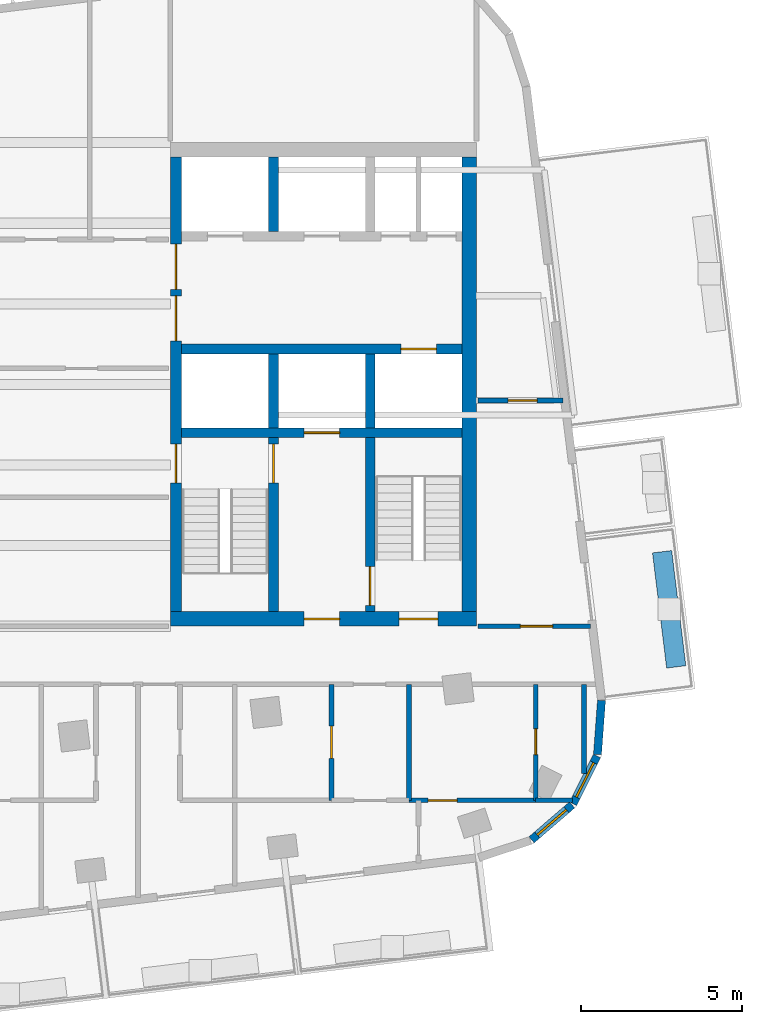
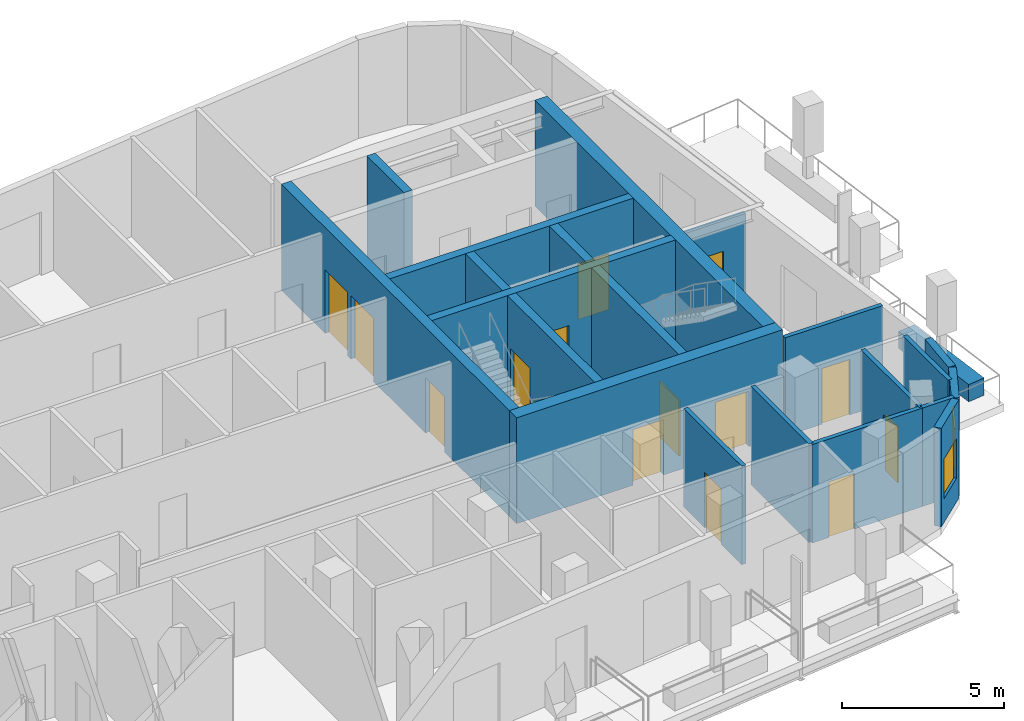
# One storey, part 6 of 11: 22 walls, 14 doors, 2 windows, 16 openings.
"""IFC4 building model written with IfcOpenShell, lengths in metres."""

from ifc_helpers import new_model, si_unit, direction, frame, frame_2d, origin, place, context, subcontext, project, spatial, rectangle, extrude, material, layer, layer_set, type_object, element, fill, save


model = new_model("IFC4")

# Units and contexts
model_context = context("Model", 3, precision=1e-05, world=origin(), true_north=direction((0.0, 1.0)))
body_context = subcontext(model_context, "Body", "Model", "MODEL_VIEW")
ifc_project = project(units=[si_unit("LENGTHUNIT", "METRE"), si_unit("AREAUNIT", "SQUARE_METRE"), si_unit("VOLUMEUNIT", "CUBIC_METRE"), si_unit("PLANEANGLEUNIT", "RADIAN"), si_unit("MASSUNIT", "GRAM", prefix="KILO")], contexts=[model_context])

# Site, building, storey
site_placement = place(None, origin())
site = spatial("IfcSite", under=ifc_project, at=site_placement, CompositionType="ELEMENT")
building_placement = place(site_placement, origin())
building = spatial("IfcBuilding", under=site, at=building_placement, Name="Torana Hotel and Residences", CompositionType="ELEMENT")
storey_placement = place(building_placement, frame((0.0, 0.0, 330.60009765625)))
storey = spatial("IfcBuildingStorey", under=building, at=storey_placement, Name="L87", CompositionType="ELEMENT", Elevation=330.60009765625)

# Wall, opening, door
ifc_material_1 = material(Name="Concrete C60/75", Category="concrete")
ifc_layer_1 = layer(ifc_material_1, 0.300048828125)
ifc_layer_set_1 = layer_set([ifc_layer_1], Name="CORE WALL 300 C60/75")
wall_type_1 = type_object("IfcWallType", Name="CORE WALL 300 C60/75", PredefinedType="SHEAR", material=ifc_layer_set_1)
wall_1_placement = place(storey_placement, frame((10.35009765625, -6.39990234375, 0.0), z_axis=(0.0, 0.0, 1.0), x_axis=(1.0, 0.0, 0.0)))
wall_1 = element("IfcWall", 1, at=wall_1_placement, inside=storey, type_object=wall_type_1, Name="Core wall E row-S", PredefinedType="SHEAR", context=body_context, shape_type="SweptSolid", body=[
    extrude(rectangle(XDim=8.699951171875, YDim=0.300048828125, at=frame_2d((4.35009765625, 0.0))), origin(), (0.0, 0.0, 1.0), 4.0),
])
opening_1_placement = place(wall_1_placement, frame((6.800048828125, 0.0, 0.0)))
opening_1 = element("IfcOpeningElement", 2, at=opening_1_placement, cuts=wall_1, Name="Opening LD", PredefinedType="OPENING", context=body_context, shape_type="SweptSolid", body=[
    extrude(rectangle(XDim=1.10009765625, YDim=2.10009765625, at=frame_2d((0.550048828125, 1.050048828125))), frame((0.0, 0.159912109375, 0.0), z_axis=(0.0, -1.0, 0.0), x_axis=(1.0, 0.0, 0.0)), (0.0, 0.0, 1.0), 0.320068359375),
])
ifc_material_2 = material(Name="Stainless steel 316", Category="steel")
door_type_1 = type_object("IfcDoorType", Name="LIFT LANDING DOOR LD 1100x2100", OperationType="DOUBLE_DOOR_SLIDING", PredefinedType="USERDEFINED", material=ifc_material_2)
door_1_placement = place(opening_1_placement, origin())
door_1 = element("IfcDoor", 3, at=door_1_placement, inside=storey, type_object=door_type_1, Name="Lift landing door SV2 L87", ObjectType="LIFT LANDING DOOR", OperationType="DOUBLE_DOOR_SLIDING", OverallHeight=2.10009765625, OverallWidth=1.10009765625, PredefinedType="USERDEFINED", context=body_context, shape_type="SweptSolid", body=[
    extrude(rectangle(XDim=1.10009765625, YDim=2.10009765625, at=frame_2d((0.550048828125, 1.050048828125))), frame((0.0, 0.02490234375, 0.0), z_axis=(0.0, -1.0, 0.0), x_axis=(1.0, 0.0, 0.0)), (0.0, 0.0, 1.0), 0.050048828125),
])
fill(opening_1, door_1)

wall_2_placement = place(storey_placement, frame((10.35009765625, -9.0, 0.0), z_axis=(0.0, 0.0, 1.0), x_axis=(1.0, 0.0, 0.0)))
wall_2 = element("IfcWall", 4, at=wall_2_placement, inside=storey, type_object=wall_type_1, Name="Core wall E band", PredefinedType="SHEAR", context=body_context, shape_type="SweptSolid", body=[
    extrude(rectangle(XDim=8.699951171875, YDim=0.300048828125, at=frame_2d((4.35009765625, 0.0))), origin(), (0.0, 0.0, 1.0), 4.0),
])
opening_2_placement = place(wall_2_placement, frame((3.800048828125, 0.0, 0.0)))
opening_2 = element("IfcOpeningElement", 5, at=opening_2_placement, cuts=wall_2, Name="Opening LD", PredefinedType="OPENING", context=body_context, shape_type="SweptSolid", body=[
    extrude(rectangle(XDim=1.10009765625, YDim=2.10009765625, at=frame_2d((0.550048828125, 1.050048828125))), frame((0.0, 0.159912109375, 0.0), z_axis=(0.0, -1.0, 0.0), x_axis=(1.0, 0.0, 0.0)), (0.0, 0.0, 1.0), 0.320068359375),
])
door_2_placement = place(opening_2_placement, origin())
door_2 = element("IfcDoor", 6, at=door_2_placement, inside=storey, type_object=door_type_1, Name="Lift landing door FF2 L87", ObjectType="LIFT LANDING DOOR", OperationType="DOUBLE_DOOR_SLIDING", OverallHeight=2.10009765625, OverallWidth=1.10009765625, PredefinedType="USERDEFINED", context=body_context, shape_type="SweptSolid", body=[
    extrude(rectangle(XDim=1.10009765625, YDim=2.10009765625, at=frame_2d((0.550048828125, 1.050048828125))), frame((0.0, 0.02490234375, 0.0), z_axis=(0.0, -1.0, 0.0), x_axis=(1.0, 0.0, 0.0)), (0.0, 0.0, 1.0), 0.050048828125),
])
fill(opening_2, door_2)

# Walls
for number, where, z_axis, x_axis, name in (
    (7, (13.199951171875, -2.75, 0.0), (0.0, 0.0, 1.0), (0.0, 1.0, 0.0), "Core wall E x3.05-N"),
    (8, (13.199951171875, -8.85009765625, 0.0), (0.0, 0.0, 1.0), (0.0, 1.0, 0.0), "Core wall E x3.05-S"),
):
    element("IfcWall", number, at=place(storey_placement, frame(where, z_axis=z_axis, x_axis=x_axis)), inside=storey, type_object=wall_type_1, Name=name, PredefinedType="SHEAR", context=body_context, shape_type="SweptSolid", body=[
        extrude(rectangle(XDim=2.300048828125, YDim=0.300048828125, at=frame_2d((1.14990234375, 0.0))), origin(), (0.0, 0.0, 1.0), 4.0),
    ])

# Wall, opening, door
wall_3_placement = place(storey_placement, frame((13.199951171875, -14.550048828125, 0.0), z_axis=(0.0, 0.0, 1.0), x_axis=(0.0, 1.0, 0.0)))
wall_3 = element("IfcWall", 9, at=wall_3_placement, inside=storey, type_object=wall_type_1, Name="Core wall E x3.05-band", PredefinedType="SHEAR", context=body_context, shape_type="SweptSolid", body=[
    extrude(rectangle(XDim=5.400146484375, YDim=0.300048828125, at=frame_2d((2.7001953125, 0.0))), origin(), (0.0, 0.0, 1.0), 4.0),
])
opening_3_placement = place(wall_3_placement, frame((4.0, 0.0, 0.0)))
opening_3 = element("IfcOpeningElement", 10, at=opening_3_placement, cuts=wall_3, Name="Opening L87-17", PredefinedType="OPENING", context=body_context, shape_type="SweptSolid", body=[
    extrude(rectangle(XDim=1.199951171875, YDim=2.10009765625, at=frame_2d((0.60009765625, 1.050048828125))), frame((0.0, 0.159912109375, 0.0), z_axis=(0.0, -1.0, 0.0), x_axis=(1.0, 0.0, 0.0)), (0.0, 0.0, 1.0), 0.320068359375),
])
ifc_material_3 = material(Name="Steel S235", Category="steel")
door_type_2 = type_object("IfcDoorType", Name="STAIR FIRE DOOR D3 1200x2100", OperationType="SINGLE_SWING_LEFT", PredefinedType="DOOR", material=ifc_material_3)
door_3_placement = place(opening_3_placement, origin())
door_3 = element("IfcDoor", 11, at=door_3_placement, inside=storey, type_object=door_type_2, Name="Stair-A-lobby door L87", OperationType="SINGLE_SWING_LEFT", OverallHeight=2.10009765625, OverallWidth=1.199951171875, PredefinedType="DOOR", context=body_context, shape_type="SweptSolid", body=[
    extrude(rectangle(XDim=1.199951171875, YDim=2.10009765625, at=frame_2d((0.60009765625, 1.050048828125))), frame((0.0, 0.02490234375, 0.0), z_axis=(0.0, -1.0, 0.0), x_axis=(1.0, 0.0, 0.0)), (0.0, 0.0, 1.0), 0.050048828125),
])
fill(opening_3, door_3)

# Wall
wall_4_placement = place(storey_placement, frame((16.199951171875, -8.85009765625, 0.0), z_axis=(0.0, 0.0, 1.0), x_axis=(0.0, 1.0, 0.0)))
element("IfcWall", 12, at=wall_4_placement, inside=storey, type_object=wall_type_1, Name="Core wall E x6.05-S", PredefinedType="SHEAR", context=body_context, shape_type="SweptSolid", body=[
    extrude(rectangle(XDim=2.300048828125, YDim=0.300048828125, at=frame_2d((1.14990234375, 0.0))), origin(), (0.0, 0.0, 1.0), 4.0),
])

# Wall, opening, door
wall_5_placement = place(storey_placement, frame((16.199951171875, -14.550048828125, 0.0), z_axis=(0.0, 0.0, 1.0), x_axis=(0.0, 1.0, 0.0)))
wall_5 = element("IfcWall", 13, at=wall_5_placement, inside=storey, type_object=wall_type_1, Name="Core wall E x6.05-band", PredefinedType="SHEAR", context=body_context, shape_type="SweptSolid", body=[
    extrude(rectangle(XDim=5.400146484375, YDim=0.300048828125, at=frame_2d((2.7001953125, 0.0))), origin(), (0.0, 0.0, 1.0), 4.0),
])
opening_4_placement = place(wall_5_placement, frame((0.199951171875, 0.0, 0.0)))
opening_4 = element("IfcOpeningElement", 14, at=opening_4_placement, cuts=wall_5, Name="Opening L87-18", PredefinedType="OPENING", context=body_context, shape_type="SweptSolid", body=[
    extrude(rectangle(XDim=1.199951171875, YDim=2.10009765625, at=frame_2d((0.60009765625, 1.050048828125))), frame((0.0, 0.159912109375, 0.0), z_axis=(0.0, -1.0, 0.0), x_axis=(1.0, 0.0, 0.0)), (0.0, 0.0, 1.0), 0.320068359375),
])
door_4_placement = place(opening_4_placement, frame((0.60009765625, 0.0, 0.0), z_axis=(0.0, 0.0, 1.0), x_axis=(-1.0, 0.0, 0.0)))
door_4 = element("IfcDoor", 15, at=door_4_placement, inside=storey, type_object=door_type_2, Name="Stair-B-lobby door L87", OperationType="SINGLE_SWING_LEFT", OverallHeight=2.10009765625, OverallWidth=1.199951171875, PredefinedType="DOOR", context=body_context, shape_type="SweptSolid", body=[
    extrude(rectangle(XDim=1.199951171875, YDim=2.10009765625, at=frame_2d((0.0, 1.050048828125))), frame((0.0, -0.02490234375, 0.0), z_axis=(0.0, 1.0, 0.0), x_axis=(-1.0, 0.0, 0.0)), (0.0, 0.0, 1.0), 0.050048828125),
])
fill(opening_4, door_4)

# Wall, openings, doors
ifc_material_4 = material(Name="Concrete C60/75", Category="concrete")
ifc_layer_2 = layer(ifc_material_4, 0.35009765625)
ifc_layer_set_2 = layer_set([ifc_layer_2], Name="CORE WALL 350 C60/75")
wall_type_2 = type_object("IfcWallType", Name="CORE WALL 350 C60/75", PredefinedType="SHEAR", material=ifc_layer_set_2)
wall_6_placement = place(storey_placement, frame((10.175048828125, -14.550048828125, 0.0), z_axis=(0.0, 0.0, 1.0), x_axis=(0.0, 1.0, 0.0)))
wall_6 = element("IfcWall", 16, at=wall_6_placement, inside=storey, type_object=wall_type_2, Name="Core wall E arch", PredefinedType="SHEAR", context=body_context, shape_type="SweptSolid", body=[
    extrude(rectangle(XDim=14.10009765625, YDim=0.35009765625, at=frame_2d((7.050048828125, 0.0))), origin(), (0.0, 0.0, 1.0), 4.0),
])
opening_5_placement = place(wall_6_placement, frame((8.39990234375, 0.0, 0.0)))
opening_5 = element("IfcOpeningElement", 17, at=opening_5_placement, cuts=wall_6, Name="Opening L87-10", PredefinedType="OPENING", context=body_context, shape_type="SweptSolid", body=[
    extrude(rectangle(XDim=1.39990234375, YDim=2.39990234375, at=frame_2d((0.699951171875, 1.199951171875))), frame((0.0, 0.18505859375, 0.0), z_axis=(0.0, -1.0, 0.0), x_axis=(1.0, 0.0, 0.0)), (0.0, 0.0, 1.0), 0.3701171875),
])
opening_6_placement = place(wall_6_placement, frame((10.0, 0.0, 0.0)))
opening_6 = element("IfcOpeningElement", 18, at=opening_6_placement, cuts=wall_6, Name="Opening L87-11", PredefinedType="OPENING", context=body_context, shape_type="SweptSolid", body=[
    extrude(rectangle(XDim=1.39990234375, YDim=2.39990234375, at=frame_2d((0.699951171875, 1.199951171875))), frame((0.0, 0.18505859375, 0.0), z_axis=(0.0, -1.0, 0.0), x_axis=(1.0, 0.0, 0.0)), (0.0, 0.0, 1.0), 0.3701171875),
])
opening_7_placement = place(wall_6_placement, frame((4.0, 0.0, 0.0)))
opening_7 = element("IfcOpeningElement", 19, at=opening_7_placement, cuts=wall_6, Name="Opening L87-12", PredefinedType="OPENING", context=body_context, shape_type="SweptSolid", body=[
    extrude(rectangle(XDim=1.199951171875, YDim=2.10009765625, at=frame_2d((0.60009765625, 1.050048828125))), frame((0.0, 0.18505859375, 0.0), z_axis=(0.0, -1.0, 0.0), x_axis=(1.0, 0.0, 0.0)), (0.0, 0.0, 1.0), 0.3701171875),
])
ifc_material_5 = material(Name="Steel S235", Category="steel")
door_type_3 = type_object("IfcDoorType", Name="LOBBY FIRE DOOR D4 1400x2400", OperationType="DOUBLE_DOOR_SINGLE_SWING", PredefinedType="DOOR", material=ifc_material_5)
door_5_placement = place(opening_5_placement, origin())
door_5 = element("IfcDoor", 20, at=door_5_placement, inside=storey, type_object=door_type_3, Name="Lobby-1 door L87", OperationType="DOUBLE_DOOR_SINGLE_SWING", OverallHeight=2.39990234375, OverallWidth=1.39990234375, PredefinedType="DOOR", context=body_context, shape_type="SweptSolid", body=[
    extrude(rectangle(XDim=1.39990234375, YDim=2.39990234375, at=frame_2d((0.699951171875, 1.199951171875))), frame((0.0, 0.02490234375, 0.0), z_axis=(0.0, -1.0, 0.0), x_axis=(1.0, 0.0, 0.0)), (0.0, 0.0, 1.0), 0.050048828125),
])
fill(opening_5, door_5)
door_6_placement = place(opening_6_placement, origin())
door_6 = element("IfcDoor", 21, at=door_6_placement, inside=storey, type_object=door_type_3, Name="Lobby-2 door L87", OperationType="DOUBLE_DOOR_SINGLE_SWING", OverallHeight=2.39990234375, OverallWidth=1.39990234375, PredefinedType="DOOR", context=body_context, shape_type="SweptSolid", body=[
    extrude(rectangle(XDim=1.39990234375, YDim=2.39990234375, at=frame_2d((0.699951171875, 1.199951171875))), frame((0.0, 0.02490234375, 0.0), z_axis=(0.0, -1.0, 0.0), x_axis=(1.0, 0.0, 0.0)), (0.0, 0.0, 1.0), 0.050048828125),
])
fill(opening_6, door_6)
door_7_placement = place(opening_7_placement, frame((0.60009765625, 0.0, 0.0), z_axis=(0.0, 0.0, 1.0), x_axis=(-1.0, 0.0, 0.0)))
door_7 = element("IfcDoor", 22, at=door_7_placement, inside=storey, type_object=door_type_2, Name="Stair-A door L87", OperationType="SINGLE_SWING_RIGHT", OverallHeight=2.10009765625, OverallWidth=1.199951171875, PredefinedType="DOOR", context=body_context, shape_type="SweptSolid", body=[
    extrude(rectangle(XDim=1.199951171875, YDim=2.10009765625, at=frame_2d((0.0, 1.050048828125))), frame((0.0, -0.02490234375, 0.0), z_axis=(0.0, 1.0, 0.0), x_axis=(-1.0, 0.0, 0.0)), (0.0, 0.0, 1.0), 0.050048828125),
])
fill(opening_7, door_7)

ifc_material_6 = material(Name="Concrete C60/75", Category="concrete")
ifc_layer_3 = layer(ifc_material_6, 0.449951171875)
ifc_layer_set_3 = layer_set([ifc_layer_3], Name="CORE WALL 450 C60/75")
wall_type_3 = type_object("IfcWallType", Name="CORE WALL 450 C60/75", PredefinedType="SHEAR", material=ifc_layer_set_3)
wall_7_placement = place(storey_placement, frame((10.0, -14.77490234375, 0.0), z_axis=(0.0, 0.0, 1.0), x_axis=(1.0, 0.0, 0.0)))
wall_7 = element("IfcWall", 23, at=wall_7_placement, inside=storey, type_object=wall_type_3, Name="Core wall E front", PredefinedType="SHEAR", context=body_context, shape_type="SweptSolid", body=[
    extrude(rectangle(XDim=9.5, YDim=0.449951171875, at=frame_2d((4.75, 0.0))), origin(), (0.0, 0.0, 1.0), 4.0),
])
opening_8_placement = place(wall_7_placement, frame((7.10009765625, 0.0, 0.0)))
opening_8 = element("IfcOpeningElement", 24, at=opening_8_placement, cuts=wall_7, Name="Opening L87-13", PredefinedType="OPENING", context=body_context, shape_type="SweptSolid", body=[
    extrude(rectangle(XDim=1.199951171875, YDim=2.10009765625, at=frame_2d((0.60009765625, 1.050048828125))), frame((0.0, 0.23486328125, 0.0), z_axis=(0.0, -1.0, 0.0), x_axis=(1.0, 0.0, 0.0)), (0.0, 0.0, 1.0), 0.469970703125),
])
opening_9_placement = place(wall_7_placement, frame((4.14990234375, 0.0, 0.0)))
opening_9 = element("IfcOpeningElement", 25, at=opening_9_placement, cuts=wall_7, Name="Opening L87-14", PredefinedType="OPENING", context=body_context, shape_type="SweptSolid", body=[
    extrude(rectangle(XDim=1.10009765625, YDim=2.10009765625, at=frame_2d((0.550048828125, 1.050048828125))), frame((0.0, 0.23486328125, 0.0), z_axis=(0.0, -1.0, 0.0), x_axis=(1.0, 0.0, 0.0)), (0.0, 0.0, 1.0), 0.469970703125),
])
ifc_material_7 = material(Name="Steel S235", Category="steel")
door_type_4 = type_object("IfcDoorType", Name="FIRE-FIGHTING LOBBY DOOR D8 1100x2100", OperationType="SINGLE_SWING_LEFT", PredefinedType="DOOR", material=ifc_material_7)
door_8_placement = place(opening_9_placement, origin())
door_8 = element("IfcDoor", 26, at=door_8_placement, inside=storey, type_object=door_type_4, Name="FF-lobby door L87", OperationType="SINGLE_SWING_RIGHT", OverallHeight=2.10009765625, OverallWidth=1.10009765625, PredefinedType="DOOR", context=body_context, shape_type="SweptSolid", body=[
    extrude(rectangle(XDim=1.10009765625, YDim=2.10009765625, at=frame_2d((0.550048828125, 1.050048828125))), frame((0.0, 0.02490234375, 0.0), z_axis=(0.0, -1.0, 0.0), x_axis=(1.0, 0.0, 0.0)), (0.0, 0.0, 1.0), 0.050048828125),
])
fill(opening_9, door_8)
door_9_placement = place(opening_8_placement, origin())
door_9 = element("IfcDoor", 27, at=door_9_placement, inside=storey, type_object=door_type_2, Name="Stair-B door L87", OperationType="SINGLE_SWING_RIGHT", OverallHeight=2.10009765625, OverallWidth=1.199951171875, PredefinedType="DOOR", context=body_context, shape_type="SweptSolid", body=[
    extrude(rectangle(XDim=1.199951171875, YDim=2.10009765625, at=frame_2d((0.60009765625, 1.050048828125))), frame((0.0, 0.02490234375, 0.0), z_axis=(0.0, -1.0, 0.0), x_axis=(1.0, 0.0, 0.0)), (0.0, 0.0, 1.0), 0.050048828125),
])
fill(opening_8, door_9)

# Wall
wall_8_placement = place(storey_placement, frame((19.27490234375, -14.550048828125, 0.0), z_axis=(0.0, 0.0, 1.0), x_axis=(0.0, 1.0, 0.0)))
element("IfcWall", 28, at=wall_8_placement, inside=storey, type_object=wall_type_3, Name="Core wall E outer", PredefinedType="SHEAR", context=body_context, shape_type="SweptSolid", body=[
    extrude(rectangle(XDim=14.10009765625, YDim=0.449951171875, at=frame_2d((7.050048828125, 0.0))), origin(), (0.0, 0.0, 1.0), 4.0),
])

# Wall, opening, window
ifc_material_8 = material(Name="Black aluminium composite panel", Category="aluminium")
ifc_layer_4 = layer(ifc_material_8, 0.00390625, Name="Cladding", Category="cladding")
ifc_material_9 = material(Name="Ventilated air cavity")
ifc_layer_5 = layer(ifc_material_9, 0.0400390625, Name="Ventilated cavity", Category="cavity")
ifc_material_10 = material(Name="Mineral wool insulation")
ifc_layer_6 = layer(ifc_material_10, 0.090087890625, Name="Insulation", Category="insulation")
ifc_material_11 = material(Name="Steel S280GD", Category="steel")
ifc_layer_7 = layer(ifc_material_11, 0.092041015625, Name="Steel stud frame", Category="structure")
ifc_material_12 = material(Name="Fire rated plasterboard")
ifc_layer_8 = layer(ifc_material_12, 0.011962890625, Name="Inner board", Category="finish")
ifc_layer_9 = layer(ifc_material_12, 0.011962890625, Name="Second board", Category="finish")
ifc_layer_set_4 = layer_set([ifc_layer_4, ifc_layer_5, ifc_layer_6, ifc_layer_7, ifc_layer_8, ifc_layer_9], Name="EW1 EXTERNAL WALL BLACK METAL CLAD 250")
wall_type_4 = type_object("IfcWallType", Name="EW1 EXTERNAL WALL BLACK METAL CLAD 250", PredefinedType="SOLIDWALL", material=ifc_layer_set_4)
wall_9_placement = place(storey_placement, frame((21.207763671875, -21.624267578125, 0.0), z_axis=(0.0, 0.0, 1.0), x_axis=(0.757568315466, 0.652755886531, 0.0)))
wall_9 = element("IfcWall", 29, at=wall_9_placement, inside=storey, type_object=wall_type_4, Name="External wall L87 e0.16", PredefinedType="SOLIDWALL", context=body_context, shape_type="SweptSolid", body=[
    extrude(rectangle(XDim=1.65625, YDim=0.25, at=frame_2d((0.828125, 0.0))), origin(), (0.0, 0.0, 1.0), 3.719970703125),
])
opening_10_placement = place(wall_9_placement, frame((0.228271484375, 0.0, 0.89990234375)))
opening_10 = element("IfcOpeningElement", 30, at=opening_10_placement, cuts=wall_9, Name="Opening W5", PredefinedType="OPENING", context=body_context, shape_type="SweptSolid", body=[
    extrude(rectangle(XDim=1.199951171875, YDim=1.5, at=frame_2d((0.60009765625, 0.75))), frame((0.0, 0.135009765625, 0.0), z_axis=(0.0, -1.0, 0.0), x_axis=(1.0, 0.0, 0.0)), (0.0, 0.0, 1.0), 0.27001953125),
])
ifc_material_13 = material(Name="Dark glass in black aluminium frame", Category="aluminium")
window_type = type_object("IfcWindowType", Name="W5 CORNER FACET WINDOW 1200x1500", PartitioningType="SINGLE_PANEL", PredefinedType="WINDOW", material=ifc_material_13)
window_1_placement = place(opening_10_placement, origin())
window_1 = element("IfcWindow", 31, at=window_1_placement, inside=storey, type_object=window_type, Name="Window L87 e0.16", OverallHeight=1.5, OverallWidth=1.199951171875, PartitioningType="SINGLE_PANEL", PredefinedType="WINDOW", context=body_context, shape_type="SweptSolid", body=[
    extrude(rectangle(XDim=1.199951171875, YDim=1.5, at=frame_2d((0.60009765625, 0.75))), frame((0.0, 0.030029296875, 0.0), z_axis=(0.0, -1.0, 0.0), x_axis=(1.0, 0.0, 0.0)), (0.0, 0.0, 1.0), 0.06005859375),
])
fill(opening_10, window_1)

wall_10_placement = place(storey_placement, frame((22.49267578125, -20.504638671875, 0.0), z_axis=(0.0, 0.0, 1.0), x_axis=(0.449982385812, 0.893037430604, 0.0)))
wall_10 = element("IfcWall", 32, at=wall_10_placement, inside=storey, type_object=wall_type_4, Name="External wall L87 e0.17", PredefinedType="SOLIDWALL", context=body_context, shape_type="SweptSolid", body=[
    extrude(rectangle(XDim=1.656494140625, YDim=0.25, at=frame_2d((0.828125, 0.0))), origin(), (0.0, 0.0, 1.0), 3.719970703125),
])
opening_11_placement = place(wall_10_placement, frame((0.228271484375, 0.0, 0.89990234375)))
opening_11 = element("IfcOpeningElement", 33, at=opening_11_placement, cuts=wall_10, Name="Opening W5", PredefinedType="OPENING", context=body_context, shape_type="SweptSolid", body=[
    extrude(rectangle(XDim=1.199951171875, YDim=1.5, at=frame_2d((0.60009765625, 0.75))), frame((0.0, 0.135009765625, 0.0), z_axis=(0.0, -1.0, 0.0), x_axis=(1.0, 0.0, 0.0)), (0.0, 0.0, 1.0), 0.27001953125),
])
window_2_placement = place(opening_11_placement, origin())
window_2 = element("IfcWindow", 34, at=window_2_placement, inside=storey, type_object=window_type, Name="Window L87 e0.17", OverallHeight=1.5, OverallWidth=1.199951171875, PartitioningType="SINGLE_PANEL", PredefinedType="WINDOW", context=body_context, shape_type="SweptSolid", body=[
    extrude(rectangle(XDim=1.199951171875, YDim=1.5, at=frame_2d((0.60009765625, 0.75))), frame((0.0, 0.030029296875, 0.0), z_axis=(0.0, -1.0, 0.0), x_axis=(1.0, 0.0, 0.0)), (0.0, 0.0, 1.0), 0.06005859375),
])
fill(opening_11, window_2)

# Walls
wall_11_placement = place(storey_placement, frame((23.251220703125, -18.978515625, 0.0), z_axis=(0.0, 0.0, 1.0), x_axis=(0.074053534713, 0.997254267475, 0.0)))
element("IfcWall", 35, at=wall_11_placement, inside=storey, type_object=wall_type_4, Name="External wall L87 e0.18", PredefinedType="SOLIDWALL", context=body_context, shape_type="SweptSolid", body=[
    extrude(rectangle(XDim=1.681396484375, YDim=0.25, at=frame_2d((0.8408203125, 0.0))), origin(), (0.0, 0.0, 1.0), 3.719970703125),
])
ifc_material_14 = material(Name="Gypsum plaster")
ifc_layer_10 = layer(ifc_material_14, 0.014892578125, Name="Plaster", Category="finish")
ifc_material_15 = material(Name="Concrete blockwork", Category="masonry")
ifc_layer_11 = layer(ifc_material_15, 0.1201171875, Name="Blockwork", Category="structure")
ifc_layer_12 = layer(ifc_material_14, 0.014892578125, Name="Plaster", Category="finish")
ifc_layer_set_5 = layer_set([ifc_layer_10, ifc_layer_11, ifc_layer_12], Name="FIRE PARTITION 150 BLOCKWORK")
wall_type_5 = type_object("IfcWallType", Name="FIRE PARTITION 150 BLOCKWORK", PredefinedType="PARTITIONING", material=ifc_layer_set_5)
wall_12_placement = place(storey_placement, frame((17.39990234375, -20.39990234375, 0.0), z_axis=(0.0, 0.0, 1.0), x_axis=(0.0, 1.0, 0.0)))
element("IfcWall", 36, at=wall_12_placement, inside=storey, type_object=wall_type_5, Name="Partition L87", PredefinedType="PARTITIONING", context=body_context, shape_type="SweptSolid", body=[
    extrude(rectangle(XDim=3.599853515625, YDim=0.14990234375, at=frame_2d((1.7998046875, 0.0))), origin(), (0.0, 0.0, 1.0), 3.719970703125),
])

# Wall, opening, door
wall_13_placement = place(storey_placement, frame((15.0, -20.39990234375, 0.0), z_axis=(0.0, 0.0, 1.0), x_axis=(0.0, 1.0, 0.0)))
wall_13 = element("IfcWall", 37, at=wall_13_placement, inside=storey, type_object=wall_type_5, Name="Partition L87", PredefinedType="PARTITIONING", context=body_context, shape_type="SweptSolid", body=[
    extrude(rectangle(XDim=3.599853515625, YDim=0.14990234375, at=frame_2d((1.7998046875, 0.0))), origin(), (0.0, 0.0, 1.0), 3.719970703125),
])
opening_12_placement = place(wall_13_placement, frame((1.300048828125, 0.0, 0.0)))
opening_12 = element("IfcOpeningElement", 38, at=opening_12_placement, cuts=wall_13, Name="Opening L87-52", PredefinedType="OPENING", context=body_context, shape_type="SweptSolid", body=[
    extrude(rectangle(XDim=1.0, YDim=2.10009765625, at=frame_2d((0.5, 1.050048828125))), frame((0.0, 0.0849609375, 0.0), z_axis=(0.0, -1.0, 0.0), x_axis=(1.0, 0.0, 0.0)), (0.0, 0.0, 1.0), 0.169921875),
])
ifc_material_16 = material(Name="Steel S235", Category="steel")
door_type_5 = type_object("IfcDoorType", Name="ENTRY FIRE DOOR D6 1000x2100", OperationType="SINGLE_SWING_LEFT", PredefinedType="DOOR", material=ifc_material_16)
door_10_placement = place(opening_12_placement, origin())
door_10 = element("IfcDoor", 39, at=door_10_placement, inside=storey, type_object=door_type_5, Name="Door L87", OperationType="SINGLE_SWING_RIGHT", OverallHeight=2.10009765625, OverallWidth=1.0, PredefinedType="DOOR", context=body_context, shape_type="SweptSolid", body=[
    extrude(rectangle(XDim=1.0, YDim=2.10009765625, at=frame_2d((0.5, 1.050048828125))), frame((0.0, 0.02490234375, 0.0), z_axis=(0.0, -1.0, 0.0), x_axis=(1.0, 0.0, 0.0)), (0.0, 0.0, 1.0), 0.050048828125),
])
fill(opening_12, door_10)

wall_14_placement = place(storey_placement, frame((19.550048828125, -15.0, 0.0), z_axis=(0.0, 0.0, 1.0), x_axis=(1.0, 0.0, 0.0)))
wall_14 = element("IfcWall", 40, at=wall_14_placement, inside=storey, type_object=wall_type_5, Name="Partition L87", PredefinedType="PARTITIONING", context=body_context, shape_type="SweptSolid", body=[
    extrude(rectangle(XDim=3.489990234375, YDim=0.14990234375, at=frame_2d((1.7451171875, 0.0))), origin(), (0.0, 0.0, 1.0), 3.719970703125),
])
opening_13_placement = place(wall_14_placement, frame((1.31103515625, 0.0, 0.0)))
opening_13 = element("IfcOpeningElement", 41, at=opening_13_placement, cuts=wall_14, Name="Opening L87-28", PredefinedType="OPENING", context=body_context, shape_type="SweptSolid", body=[
    extrude(rectangle(XDim=1.0, YDim=2.10009765625, at=frame_2d((0.5, 1.050048828125))), frame((0.0, 0.0849609375, 0.0), z_axis=(0.0, -1.0, 0.0), x_axis=(1.0, 0.0, 0.0)), (0.0, 0.0, 1.0), 0.169921875),
])
ifc_material_17 = material(Name="Steel S235", Category="steel")
door_type_6 = type_object("IfcDoorType", Name="CORE ROOM FIRE DOOR D14 1000x2100", OperationType="SINGLE_SWING_LEFT", PredefinedType="DOOR", material=ifc_material_17)
door_11_placement = place(opening_13_placement, origin())
door_11 = element("IfcDoor", 42, at=door_11_placement, inside=storey, type_object=door_type_6, Name="Door L87", OperationType="SINGLE_SWING_LEFT", OverallHeight=2.10009765625, OverallWidth=1.0, PredefinedType="DOOR", context=body_context, shape_type="SweptSolid", body=[
    extrude(rectangle(XDim=1.0, YDim=2.10009765625, at=frame_2d((0.5, 1.050048828125))), frame((0.0, 0.02490234375, 0.0), z_axis=(0.0, -1.0, 0.0), x_axis=(1.0, 0.0, 0.0)), (0.0, 0.0, 1.0), 0.050048828125),
])
fill(opening_13, door_11)

ifc_material_18 = material(Name="Gypsum plasterboard")
ifc_layer_13 = layer(ifc_material_18, 0.012451171875, Name="Plasterboard", Category="finish")
ifc_layer_14 = layer(ifc_material_18, 0.012451171875, Name="Plasterboard", Category="finish")
ifc_layer_15 = layer(ifc_material_11, 0.10009765625, Name="Steel studs with mineral wool", Category="insulation")
ifc_layer_16 = layer(ifc_material_18, 0.012451171875, Name="Plasterboard", Category="finish")
ifc_layer_17 = layer(ifc_material_18, 0.012451171875, Name="Plasterboard", Category="finish")
ifc_layer_set_6 = layer_set([ifc_layer_13, ifc_layer_14, ifc_layer_15, ifc_layer_16, ifc_layer_17], Name="PARTITION 150 PLASTERBOARD")
wall_type_6 = type_object("IfcWallType", Name="PARTITION 150 PLASTERBOARD", PredefinedType="PARTITIONING", material=ifc_layer_set_6)
wall_15_placement = place(storey_placement, frame((17.39990234375, -20.39990234375, 0.0), z_axis=(0.0, 0.0, 1.0), x_axis=(1.0, 0.0, 0.0)))
wall_15 = element("IfcWall", 43, at=wall_15_placement, inside=storey, type_object=wall_type_6, Name="Partition L87", PredefinedType="PARTITIONING", context=body_context, shape_type="SweptSolid", body=[
    extrude(rectangle(XDim=3.93603515625, YDim=0.14990234375, at=frame_2d((1.968017578125, 0.0))), origin(), (0.0, 0.0, 1.0), 3.719970703125),
])
opening_14_placement = place(wall_15_placement, frame((0.60009765625, 0.0, 0.0)))
opening_14 = element("IfcOpeningElement", 44, at=opening_14_placement, cuts=wall_15, Name="Opening L87-54", PredefinedType="OPENING", context=body_context, shape_type="SweptSolid", body=[
    extrude(rectangle(XDim=0.89990234375, YDim=2.10009765625, at=frame_2d((0.449951171875, 1.050048828125))), frame((0.0, 0.0849609375, 0.0), z_axis=(0.0, -1.0, 0.0), x_axis=(1.0, 0.0, 0.0)), (0.0, 0.0, 1.0), 0.169921875),
])
ifc_material_19 = material(Name="Timber door, oiled ash", Category="wood")
door_type_7 = type_object("IfcDoorType", Name="ROOM DOOR D7 900x2100", OperationType="SINGLE_SWING_LEFT", PredefinedType="DOOR", material=ifc_material_19)
door_12_placement = place(opening_14_placement, origin())
door_12 = element("IfcDoor", 45, at=door_12_placement, inside=storey, type_object=door_type_7, Name="Door L87", OperationType="SINGLE_SWING_RIGHT", OverallHeight=2.10009765625, OverallWidth=0.89990234375, PredefinedType="DOOR", context=body_context, shape_type="SweptSolid", body=[
    extrude(rectangle(XDim=0.89990234375, YDim=2.10009765625, at=frame_2d((0.449951171875, 1.050048828125))), frame((0.0, 0.02490234375, 0.0), z_axis=(0.0, -1.0, 0.0), x_axis=(1.0, 0.0, 0.0)), (0.0, 0.0, 1.0), 0.050048828125),
])
fill(opening_14, door_12)

wall_16_placement = place(storey_placement, frame((19.550048828125, -8.0, 0.0), z_axis=(0.0, 0.0, 1.0), x_axis=(1.0, 0.0, 0.0)))
wall_16 = element("IfcWall", 46, at=wall_16_placement, inside=storey, type_object=wall_type_6, Name="Partition L87", PredefinedType="PARTITIONING", context=body_context, shape_type="SweptSolid", body=[
    extrude(rectangle(XDim=2.630615234375, YDim=0.14990234375, at=frame_2d((1.3154296875, 0.0))), origin(), (0.0, 0.0, 1.0), 3.2529296875),
])
opening_15_placement = place(wall_16_placement, frame((0.930908203125, 0.0, 0.0)))
opening_15 = element("IfcOpeningElement", 47, at=opening_15_placement, cuts=wall_16, Name="Opening L87-57", PredefinedType="OPENING", context=body_context, shape_type="SweptSolid", body=[
    extrude(rectangle(XDim=0.89990234375, YDim=2.10009765625, at=frame_2d((0.449951171875, 1.050048828125))), frame((0.0, 0.0849609375, 0.0), z_axis=(0.0, -1.0, 0.0), x_axis=(1.0, 0.0, 0.0)), (0.0, 0.0, 1.0), 0.169921875),
])
door_13_placement = place(opening_15_placement, origin())
door_13 = element("IfcDoor", 48, at=door_13_placement, inside=storey, type_object=door_type_7, Name="Door L87", OperationType="SINGLE_SWING_LEFT", OverallHeight=2.10009765625, OverallWidth=0.89990234375, PredefinedType="DOOR", context=body_context, shape_type="SweptSolid", body=[
    extrude(rectangle(XDim=0.89990234375, YDim=2.10009765625, at=frame_2d((0.449951171875, 1.050048828125))), frame((0.0, 0.02490234375, 0.0), z_axis=(0.0, -1.0, 0.0), x_axis=(1.0, 0.0, 0.0)), (0.0, 0.0, 1.0), 0.050048828125),
])
fill(opening_15, door_13)

# Walls
ifc_material_20 = material(Name="Concrete C40/50 precast", Category="concrete")
ifc_layer_18 = layer(ifc_material_20, 0.10009765625, Name="Planter shell", Category="structure")
ifc_material_21 = material(Name="Root resistant membrane")
ifc_layer_19 = layer(ifc_material_21, 0.00390625, Name="Waterproofing membrane", Category="membrane")
ifc_material_22 = material(Name="Drainage board with filter fleece")
ifc_layer_20 = layer(ifc_material_22, 0.02001953125, Name="Drainage board", Category="drainage")
ifc_material_23 = material(Name="Growing medium")
ifc_layer_21 = layer(ifc_material_23, 0.47607421875, Name="Planting substrate", Category="soil")
ifc_layer_set_7 = layer_set([ifc_layer_18, ifc_layer_19, ifc_layer_20, ifc_layer_21], Name="PL1 BALCONY PLANTER 600")
wall_type_7 = type_object("IfcWallType", Name="PL1 BALCONY PLANTER 600", PredefinedType="USERDEFINED", material=ifc_layer_set_7)
wall_17_placement = place(storey_placement, frame((25.2548828125, -12.6884765625, 0.0), z_axis=(0.0, 0.0, 1.0), x_axis=(0.121864343918, -0.992546765488, 0.0)))
element("IfcWall", 49, at=wall_17_placement, inside=storey, type_object=wall_type_7, Name="Planter 10", ObjectType="PLANTER", PredefinedType="USERDEFINED", context=body_context, shape_type="SweptSolid", body=[
    extrude(rectangle(XDim=3.60009765625, YDim=0.60009765625, at=frame_2d((1.800048828125, 0.0))), origin(), (0.0, 0.0, 1.0), 0.64990234375),
])
ifc_material_24 = material(Name="Ceramic tile on adhesive")
ifc_layer_22 = layer(ifc_material_24, 0.010009765625, Name="Wall tile", Category="finish")
ifc_material_25 = material(Name="Cement render")
ifc_layer_23 = layer(ifc_material_25, 0.010009765625, Name="Render", Category="finish")
ifc_layer_24 = layer(ifc_material_15, 0.110107421875, Name="Blockwork", Category="structure")
ifc_layer_25 = layer(ifc_material_25, 0.010009765625, Name="Render", Category="finish")
ifc_layer_26 = layer(ifc_material_24, 0.010009765625, Name="Wall tile", Category="finish")
ifc_layer_set_8 = layer_set([ifc_layer_22, ifc_layer_23, ifc_layer_24, ifc_layer_25, ifc_layer_26], Name="WC PARTITION 150")
wall_type_8 = type_object("IfcWallType", Name="WC PARTITION 150", PredefinedType="PLUMBINGWALL", material=ifc_layer_set_8)
wall_18_placement = place(storey_placement, frame((22.8359375, -19.56787109375, 0.0), z_axis=(0.0, 0.0, 1.0), x_axis=(0.0, 1.0, 0.0)))
element("IfcWall", 50, at=wall_18_placement, inside=storey, type_object=wall_type_8, Name="Partition L87", PredefinedType="PLUMBINGWALL", context=body_context, shape_type="SweptSolid", body=[
    extrude(rectangle(XDim=2.767822265625, YDim=0.14990234375, at=frame_2d((1.3837890625, 0.0))), origin(), (0.0, 0.0, 1.0), 3.719970703125),
])

# Wall, opening, door
wall_19_placement = place(storey_placement, frame((21.3359375, -20.39990234375, 0.0), z_axis=(0.0, 0.0, 1.0), x_axis=(0.0, 1.0, 0.0)))
wall_19 = element("IfcWall", 51, at=wall_19_placement, inside=storey, type_object=wall_type_8, Name="Partition L87", PredefinedType="PLUMBINGWALL", context=body_context, shape_type="SweptSolid", body=[
    extrude(rectangle(XDim=3.599853515625, YDim=0.14990234375, at=frame_2d((1.7998046875, 0.0))), origin(), (0.0, 0.0, 1.0), 3.719970703125),
])
opening_16_placement = place(wall_19_placement, frame((1.419921875, 0.0, 0.0)))
opening_16 = element("IfcOpeningElement", 52, at=opening_16_placement, cuts=wall_19, Name="Opening L87-55", PredefinedType="OPENING", context=body_context, shape_type="SweptSolid", body=[
    extrude(rectangle(XDim=0.800048828125, YDim=2.10009765625, at=frame_2d((0.39990234375, 1.050048828125))), frame((0.0, 0.0849609375, 0.0), z_axis=(0.0, -1.0, 0.0), x_axis=(1.0, 0.0, 0.0)), (0.0, 0.0, 1.0), 0.169921875),
])
ifc_material_26 = material(Name="Timber door, painted", Category="wood")
door_type_8 = type_object("IfcDoorType", Name="BATH DOOR D13 800x2100", OperationType="SINGLE_SWING_LEFT", PredefinedType="DOOR", material=ifc_material_26)
door_14_placement = place(opening_16_placement, origin())
door_14 = element("IfcDoor", 53, at=door_14_placement, inside=storey, type_object=door_type_8, Name="Door L87", OperationType="SINGLE_SWING_RIGHT", OverallHeight=2.10009765625, OverallWidth=0.800048828125, PredefinedType="DOOR", context=body_context, shape_type="SweptSolid", body=[
    extrude(rectangle(XDim=0.800048828125, YDim=2.10009765625, at=frame_2d((0.39990234375, 1.050048828125))), frame((0.0, 0.02490234375, 0.0), z_axis=(0.0, -1.0, 0.0), x_axis=(1.0, 0.0, 0.0)), (0.0, 0.0, 1.0), 0.050048828125),
])
fill(opening_16, door_14)

# Wall
wall_20_placement = place(storey_placement, frame((21.3359375, -20.39990234375, 0.0), z_axis=(0.0, 0.0, 1.0), x_axis=(1.0, 0.0, 0.0)))
element("IfcWall", 54, at=wall_20_placement, inside=storey, type_object=wall_type_8, Name="Partition L87", PredefinedType="PLUMBINGWALL", context=body_context, shape_type="SweptSolid", body=[
    extrude(rectangle(XDim=1.147705078125, YDim=0.14990234375, at=frame_2d((0.57373046875, 0.0))), origin(), (0.0, 0.0, 1.0), 3.719970703125),
])

save(model, "model.ifc")
